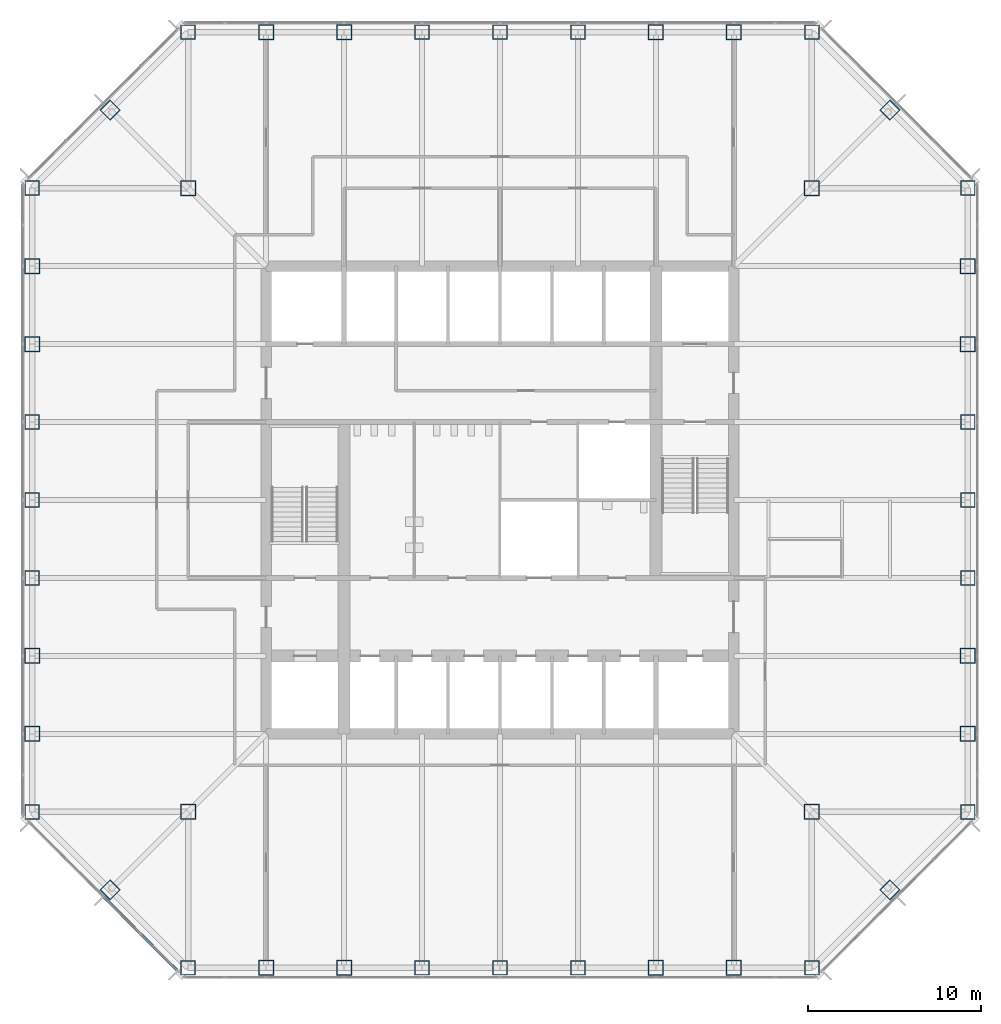
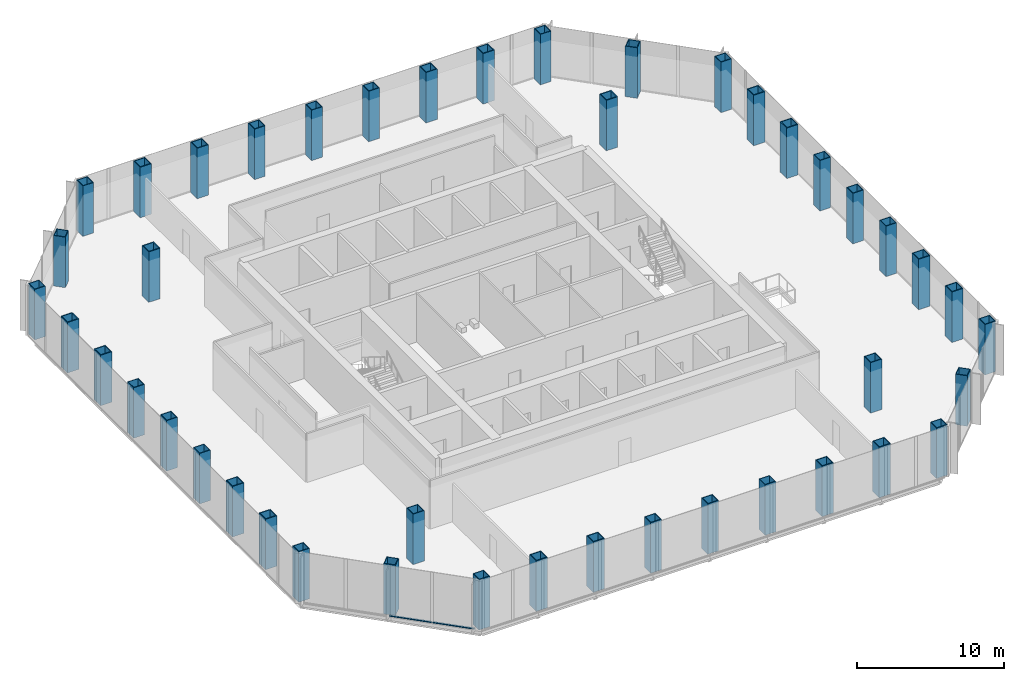
# One storey, part 1 of 12: 44 columns, 2 members, 1 element without a shape of its own.
"""IFC4 building model written with IfcOpenShell, lengths in metres."""

from ifc_helpers import new_model, si_unit, direction, frame, origin, origin_2d, place, context, subcontext, project, spatial, rectangle, hollow_rectangle, extrude, material, material_profile, profile_set, type_object, element, aggregate, save


model = new_model("IFC4")

# Units and contexts
model_context = context("Model", 3, precision=1e-05, world=origin(), true_north=direction((0.0, 1.0)))
body_context = subcontext(model_context, "Body", "Model", "MODEL_VIEW")
ifc_project = project(units=[si_unit("LENGTHUNIT", "METRE"), si_unit("AREAUNIT", "SQUARE_METRE"), si_unit("VOLUMEUNIT", "CUBIC_METRE"), si_unit("PLANEANGLEUNIT", "RADIAN"), si_unit("MASSUNIT", "GRAM", prefix="KILO")], contexts=[model_context])

# Site, building, storey
site_placement = place(None, origin())
site = spatial("IfcSite", under=ifc_project, at=site_placement, CompositionType="ELEMENT")
building_placement = place(site_placement, origin())
building = spatial("IfcBuilding", under=site, at=building_placement, Name="Corais Broadcast Tower", CompositionType="ELEMENT")
storey_placement = place(building_placement, frame((0.0, 0.0, 41.60009765625)))
storey = spatial("IfcBuildingStorey", under=building, at=storey_placement, Name="L08", CompositionType="ELEMENT", Elevation=41.60009765625)

# Columns
ifc_material_1 = material(Name="Steel ASTM A572 Grade 50", Category="steel")
ifc_material_profile_1 = material_profile(ifc_material_1, hollow_rectangle(XDim=0.85009765625, YDim=0.85009765625, WallThickness=0.050048828125, at=origin_2d()), Name="BOX 850x850x50")
ifc_profile_set_1 = profile_set([ifc_material_profile_1], Name="Steel ASTM A572 Grade 50")
column_type_1 = type_object("IfcColumnType", Name="Column BOX 850x850x50", PredefinedType="COLUMN", material=ifc_profile_set_1)
for number, where, z_axis, x_axis, name in (
    (1, (9.0, 0.0, 0.0), (0.0, 0.0, 1.0), (1.0, 0.0, 0.0), "C1 A/5"),
    (2, (22.5, 0.0, 0.0), (0.0, 0.0, 1.0), (1.0, 0.0, 0.0), "C1 A/8"),
    (3, (27.0, 0.0, 0.0), (0.0, 0.0, 1.0), (1.0, 0.0, 0.0), "C1 A/9"),
    (4, (31.5, 0.0, 0.0), (0.0, 0.0, 1.0), (1.0, 0.0, 0.0), "C1 A/10"),
    (5, (45.0, 0.0, 0.0), (0.0, 0.0, 1.0), (1.0, 0.0, 0.0), "C1 A/13"),
    (6, (54.0, 9.0, 0.0), (0.0, 0.0, 1.0), (1.0, 0.0, 0.0), "C1 C/15"),
    (7, (54.0, 22.5, 0.0), (0.0, 0.0, 1.0), (1.0, 0.0, 0.0), "C1 F/15"),
    (8, (54.0, 27.0, 0.0), (0.0, 0.0, 1.0), (1.0, 0.0, 0.0), "C1 G/15"),
    (9, (54.0, 31.5, 0.0), (0.0, 0.0, 1.0), (1.0, 0.0, 0.0), "C1 H/15"),
    (10, (54.0, 45.0, 0.0), (0.0, 0.0, 1.0), (1.0, 0.0, 0.0), "C1 L/15"),
    (11, (45.0, 54.0, 0.0), (0.0, 0.0, 1.0), (1.0, 0.0, 0.0), "C1 N/13"),
    (12, (31.5, 54.0, 0.0), (0.0, 0.0, 1.0), (1.0, 0.0, 0.0), "C1 N/10"),
    (13, (27.0, 54.0, 0.0), (0.0, 0.0, 1.0), (1.0, 0.0, 0.0), "C1 N/9"),
    (14, (22.5, 54.0, 0.0), (0.0, 0.0, 1.0), (1.0, 0.0, 0.0), "C1 N/8"),
    (15, (9.0, 54.0, 0.0), (0.0, 0.0, 1.0), (1.0, 0.0, 0.0), "C1 N/5"),
    (16, (0.0, 45.0, 0.0), (0.0, 0.0, 1.0), (1.0, 0.0, 0.0), "C1 L/3"),
    (17, (0.0, 31.5, 0.0), (0.0, 0.0, 1.0), (1.0, 0.0, 0.0), "C1 H/3"),
    (18, (0.0, 27.0, 0.0), (0.0, 0.0, 1.0), (1.0, 0.0, 0.0), "C1 G/3"),
    (19, (0.0, 22.5, 0.0), (0.0, 0.0, 1.0), (1.0, 0.0, 0.0), "C1 F/3"),
    (20, (0.0, 9.0, 0.0), (0.0, 0.0, 1.0), (1.0, 0.0, 0.0), "C1 C/3"),
    (21, (4.5, 4.5, 0.0), (0.0, 0.0, 1.0), (0.707106781187, 0.707106781187, 0.0), "C1 B/4"),
    (22, (49.5, 4.5, 0.0), (0.0, 0.0, 1.0), (0.707106781187, 0.707106781187, 0.0), "C1 B/14"),
    (23, (49.5, 49.5, 0.0), (0.0, 0.0, 1.0), (0.707106781187, 0.707106781187, 0.0), "C1 M/14"),
    (24, (4.5, 49.5, 0.0), (0.0, 0.0, 1.0), (0.707106781187, 0.707106781187, 0.0), "C1 M/4"),
):
    element("IfcColumn", number, at=place(storey_placement, frame(where, z_axis=z_axis, x_axis=x_axis)), inside=storey, type_object=column_type_1, Name=name, PredefinedType="COLUMN", context=body_context, shape_type="SweptSolid", body=[
        extrude(hollow_rectangle(XDim=0.85009765625, YDim=0.85009765625, WallThickness=0.050048828125, at=origin_2d()), origin(), (0.0, 0.0, 1.0), 4.199951171875),
    ])
ifc_material_2 = material(Name="Steel ASTM A572 Grade 50", Category="steel")
ifc_material_profile_2 = material_profile(ifc_material_2, hollow_rectangle(XDim=0.89990234375, YDim=0.89990234375, WallThickness=0.06298828125, at=origin_2d()), Name="BOX 900x900x63")
ifc_profile_set_2 = profile_set([ifc_material_profile_2], Name="Steel ASTM A572 Grade 50")
column_type_2 = type_object("IfcColumnType", Name="Column BOX 900x900x63", PredefinedType="COLUMN", material=ifc_profile_set_2)
for number, where, z_axis, x_axis, name in (
    (25, (13.5, 0.0, 0.0), (0.0, 0.0, 1.0), (1.0, 0.0, 0.0), "C2 A/6"),
    (26, (18.0, 0.0, 0.0), (0.0, 0.0, 1.0), (1.0, 0.0, 0.0), "C2 A/7"),
    (27, (36.0, 0.0, 0.0), (0.0, 0.0, 1.0), (1.0, 0.0, 0.0), "C2 A/11"),
    (28, (40.5, 0.0, 0.0), (0.0, 0.0, 1.0), (1.0, 0.0, 0.0), "C2 A/12"),
    (29, (54.0, 13.5, 0.0), (0.0, 0.0, 1.0), (1.0, 0.0, 0.0), "C2 D/15"),
    (30, (54.0, 18.0, 0.0), (0.0, 0.0, 1.0), (1.0, 0.0, 0.0), "C2 E/15"),
    (31, (54.0, 36.0, 0.0), (0.0, 0.0, 1.0), (1.0, 0.0, 0.0), "C2 J/15"),
    (32, (54.0, 40.5, 0.0), (0.0, 0.0, 1.0), (1.0, 0.0, 0.0), "C2 K/15"),
    (33, (40.5, 54.0, 0.0), (0.0, 0.0, 1.0), (1.0, 0.0, 0.0), "C2 N/12"),
    (34, (36.0, 54.0, 0.0), (0.0, 0.0, 1.0), (1.0, 0.0, 0.0), "C2 N/11"),
    (35, (18.0, 54.0, 0.0), (0.0, 0.0, 1.0), (1.0, 0.0, 0.0), "C2 N/7"),
    (36, (13.5, 54.0, 0.0), (0.0, 0.0, 1.0), (1.0, 0.0, 0.0), "C2 N/6"),
    (37, (0.0, 40.5, 0.0), (0.0, 0.0, 1.0), (1.0, 0.0, 0.0), "C2 K/3"),
    (38, (0.0, 36.0, 0.0), (0.0, 0.0, 1.0), (1.0, 0.0, 0.0), "C2 J/3"),
    (39, (0.0, 18.0, 0.0), (0.0, 0.0, 1.0), (1.0, 0.0, 0.0), "C2 E/3"),
    (40, (0.0, 13.5, 0.0), (0.0, 0.0, 1.0), (1.0, 0.0, 0.0), "C2 D/3"),
    (41, (9.0, 9.0, 0.0), (0.0, 0.0, 1.0), (1.0, 0.0, 0.0), "C2 C/5"),
    (42, (45.0, 9.0, 0.0), (0.0, 0.0, 1.0), (1.0, 0.0, 0.0), "C2 C/13"),
    (43, (45.0, 45.0, 0.0), (0.0, 0.0, 1.0), (1.0, 0.0, 0.0), "C2 L/13"),
    (44, (9.0, 45.0, 0.0), (0.0, 0.0, 1.0), (1.0, 0.0, 0.0), "C2 L/5"),
):
    element("IfcColumn", number, at=place(storey_placement, frame(where, z_axis=z_axis, x_axis=x_axis)), inside=storey, type_object=column_type_2, Name=name, PredefinedType="COLUMN", context=body_context, shape_type="SweptSolid", body=[
        extrude(hollow_rectangle(XDim=0.89990234375, YDim=0.89990234375, WallThickness=0.06298828125, at=origin_2d()), origin(), (0.0, 0.0, 1.0), 4.199951171875),
    ])

# Curtain wall, members
ifc_material_3 = material(Name="Aluminium and glass", Category="aluminium")
curtain_wall_type = type_object("IfcCurtainWallType", Name="Newsroom clear-glass curtain wall CW7", PredefinedType="NOTDEFINED", material=ifc_material_3)
curtain_wall_placement = place(storey_placement, origin())
curtain_wall = element("IfcCurtainWall", 45, at=curtain_wall_placement, inside=storey, type_object=curtain_wall_type, Name="CW7 curtain wall L08 1", PredefinedType="NOTDEFINED")
ifc_material_4 = material(Name="Aluminium 6063-T6", Category="aluminium")
ifc_material_profile_3 = material_profile(ifc_material_4, rectangle(XDim=0.14990234375, YDim=0.06494140625, at=origin_2d()), Name="Transom CW7 65x150")
ifc_profile_set_3 = profile_set([ifc_material_profile_3], Name="Aluminium 6063-T6")
member_type = type_object("IfcMemberType", Name="Transom CW7 65x150", PredefinedType="USERDEFINED", material=ifc_profile_set_3)
member_1_placement = place(storey_placement, frame((8.37255859375, -0.150390625, 0.032470703125), z_axis=(-0.707106781187, 0.707106781187, 0.0), x_axis=(-0.707106781187, -0.707106781187, 0.0)))
member_1 = element("IfcMember", 46, at=member_1_placement, type_object=member_type, Name="CW7 transom 1.1", ObjectType="TRANSOM", PredefinedType="USERDEFINED", context=body_context, shape_type="SweptSolid", body=[
    extrude(rectangle(XDim=0.14990234375, YDim=0.06494140625, at=origin_2d()), origin(), (0.0, 0.0, 1.0), 2.9482421875),
])
member_2_placement = place(storey_placement, frame((6.241943359375, 1.980224609375, 0.032470703125), z_axis=(-0.707106781187, 0.707106781187, 0.0), x_axis=(-0.707106781187, -0.707106781187, 0.0)))
member_2 = element("IfcMember", 47, at=member_2_placement, type_object=member_type, Name="CW7 transom 2.1", ObjectType="TRANSOM", PredefinedType="USERDEFINED", context=body_context, shape_type="SweptSolid", body=[
    extrude(rectangle(XDim=0.14990234375, YDim=0.06494140625, at=origin_2d()), origin(), (0.0, 0.0, 1.0), 2.98095703125),
])
aggregate(curtain_wall, [member_1, member_2])

save(model, "model.ifc")
